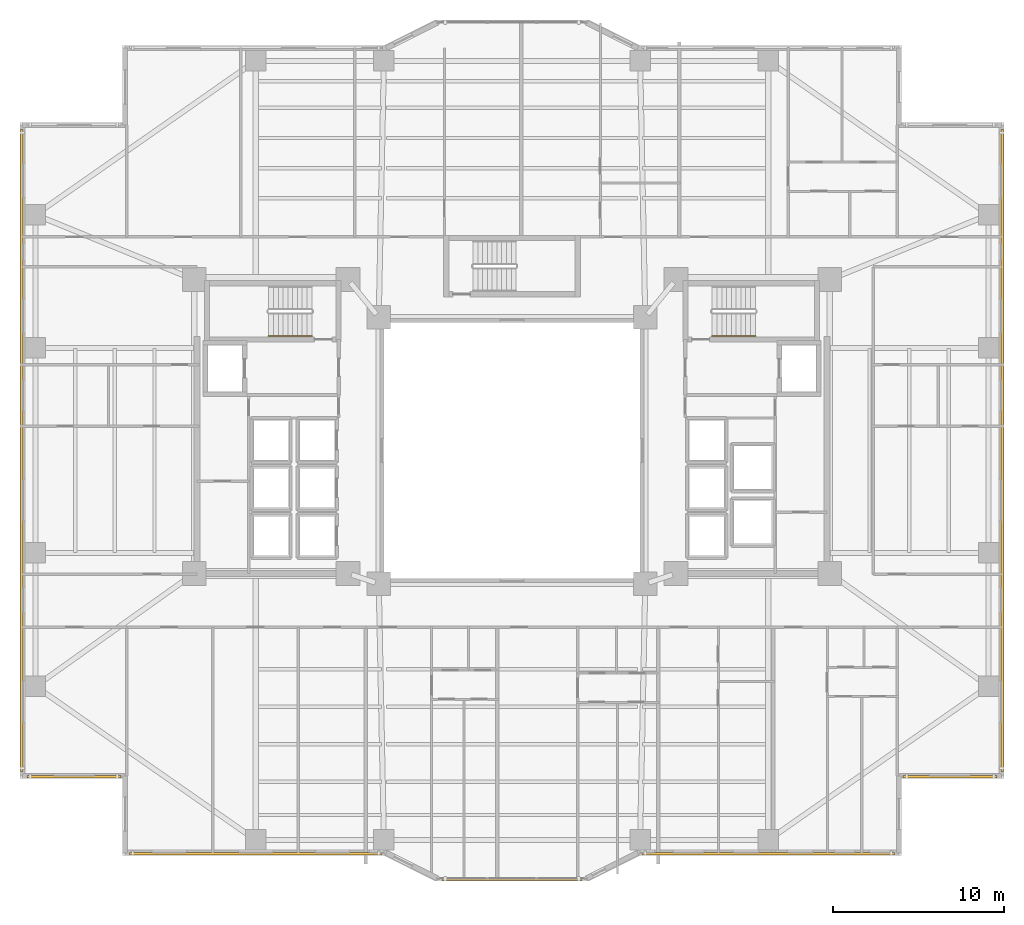
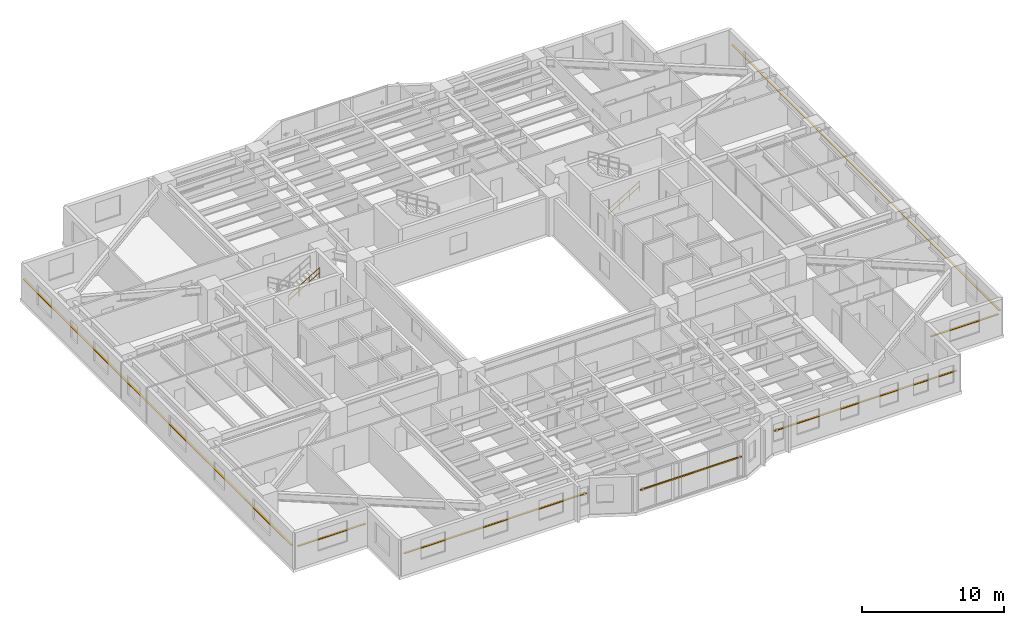
# One storey, part 19 of 21: 7 shading devices, 2 railings.
"""IFC4 building model written with IfcOpenShell, lengths in metres."""

from ifc_helpers import new_model, si_unit, direction, frame, origin, origin_2d, place, context, subcontext, project, spatial, rectangle, circle, extrude, material, material_profile, profile_set, type_object, element, save


model = new_model("IFC4")

# Units and contexts
model_context = context("Model", 3, precision=1e-05, world=origin(), true_north=direction((0.0, 1.0)))
body_context = subcontext(model_context, "Body", "Model", "MODEL_VIEW")
ifc_project = project(units=[si_unit("LENGTHUNIT", "METRE"), si_unit("AREAUNIT", "SQUARE_METRE"), si_unit("VOLUMEUNIT", "CUBIC_METRE"), si_unit("PLANEANGLEUNIT", "RADIAN"), si_unit("MASSUNIT", "GRAM", prefix="KILO")], contexts=[model_context])

# Site, building, storey
site_placement = place(None, origin())
site = spatial("IfcSite", under=ifc_project, at=site_placement, CompositionType="ELEMENT")
building_placement = place(site_placement, origin())
building = spatial("IfcBuilding", under=site, at=building_placement, Name="Tarnavaz Court Tower", CompositionType="ELEMENT")
storey_placement = place(building_placement, frame((0.0, 0.0, 47.449951171875)))
storey = spatial("IfcBuildingStorey", under=building, at=storey_placement, Name="L12", CompositionType="ELEMENT", Elevation=47.449951171875)

# Railings
ifc_material_1 = material(Name="Brushed Stainless Steel", Category="steel")
railing_type = type_object("IfcRailingType", Name="RL-HANDRAIL-900", PredefinedType="HANDRAIL", material=ifc_material_1)
for number, where, name in (
    (1, (-14.239990234375, 6.699951171875, 1.842529296875), "L12 ST-W1 stair handrail 2"),
    (2, (11.719970703125, 6.699951171875, 0.16748046875), "L12 ST-E1 stair handrail 1"),
):
    element("IfcRailing", number, at=place(storey_placement, frame(where)), inside=storey, type_object=railing_type, Name=name, PredefinedType="HANDRAIL", context=body_context, shape_type="SweptSolid", body=[
        extrude(circle(Radius=0.02392578125, at=origin_2d()), frame((0.0, 0.0, 0.8759765625), z_axis=(0.858159760407, 0.0, 0.513382728203), x_axis=(0.0, 1.0, 0.0)), (0.0, 0.0, 1.0), 2.9365234375),
        extrude(circle(Radius=0.02392578125, at=origin_2d()), frame((0.0, 0.0, 0.449951171875), z_axis=(0.858159760407, 0.0, 0.513382728203), x_axis=(0.0, 1.0, 0.0)), (0.0, 0.0, 1.0), 2.9365234375),
        extrude(circle(Radius=0.02099609375, at=origin_2d()), origin(), (0.0, 0.0, 1.0), 0.851806640625),
        extrude(circle(Radius=0.02099609375, at=origin_2d()), frame((0.840087890625, 0.0, 0.50244140625)), (0.0, 0.0, 1.0), 0.851806640625),
        extrude(circle(Radius=0.02099609375, at=origin_2d()), frame((1.679931640625, 0.0, 1.005126953125)), (0.0, 0.0, 1.0), 0.851806640625),
        extrude(circle(Radius=0.02099609375, at=origin_2d()), frame((2.52001953125, 0.0, 1.507568359375)), (0.0, 0.0, 1.0), 0.851806640625),
    ])

# Shading devices
ifc_material_2 = material(Name="Kiln-Fired Khorasan Terracotta Ceramic", Category="masonry")
ifc_material_profile_1 = material_profile(ifc_material_2, rectangle(XDim=0.1201171875, YDim=0.06005859375, at=origin_2d()), Name="TC BAGUETTE 120X60")
ifc_profile_set_1 = profile_set([ifc_material_profile_1], Name="Kiln-Fired Khorasan Terracotta Ceramic")
shading_device_type_1 = type_object("IfcShadingDeviceType", Name="SD-BAG-120", PredefinedType="USERDEFINED", material=ifc_profile_set_1)
shading_device_1_placement = place(storey_placement, frame((4.10009765625, -25.110107421875, 1.800048828125), z_axis=(-1.0, 0.0, 0.0), x_axis=(0.0, -1.0, 0.0)))
element("IfcShadingDevice", 3, at=shading_device_1_placement, inside=storey, type_object=shading_device_type_1, Name="L12 Terracotta Baguette Screen PBG17", ObjectType="BAGUETTE", PredefinedType="USERDEFINED", context=body_context, shape_type="SweptSolid", body=[
    extrude(rectangle(XDim=0.1201171875, YDim=0.06005859375, at=origin_2d()), origin(), (0.0, 0.0, 1.0), 8.2001953125),
])
ifc_material_profile_2 = material_profile(ifc_material_2, rectangle(XDim=0.14990234375, YDim=0.06494140625, at=origin_2d()), Name="TC BAGUETTE 150X65")
ifc_profile_set_2 = profile_set([ifc_material_profile_2], Name="Kiln-Fired Khorasan Terracotta Ceramic")
shading_device_type_2 = type_object("IfcShadingDeviceType", Name="SD-BAG-150", PredefinedType="USERDEFINED", material=ifc_profile_set_2)
shading_device_2_placement = place(storey_placement, frame((-22.89990234375, -19.110107421875, 1.85009765625), z_axis=(-1.0, 0.0, 0.0), x_axis=(0.0, -1.0, 0.0)))
element("IfcShadingDevice", 4, at=shading_device_2_placement, inside=storey, type_object=shading_device_type_2, Name="L12 Terracotta Baguette Screen FBG01", ObjectType="BAGUETTE", PredefinedType="USERDEFINED", context=body_context, shape_type="SweptSolid", body=[
    extrude(rectangle(XDim=0.14990234375, YDim=0.06494140625, at=origin_2d()), origin(), (0.0, 0.0, 1.0), 5.5),
])
for number, where, z_axis, x_axis, name in (
    (5, (-28.7099609375, -18.800048828125, 1.85009765625), (0.0, 1.0, 0.0), (-1.0, 0.0, 0.0), "L12 Terracotta Baguette Screen FBG02"),
    (6, (28.7099609375, 18.800048828125, 1.85009765625), (0.0, -1.0, 0.0), (1.0, 0.0, 0.0), "L12 Terracotta Baguette Screen FBG12"),
):
    element("IfcShadingDevice", number, at=place(storey_placement, frame(where, z_axis=z_axis, x_axis=x_axis)), inside=storey, type_object=shading_device_type_2, Name=name, ObjectType="BAGUETTE", PredefinedType="USERDEFINED", context=body_context, shape_type="SweptSolid", body=[
        extrude(rectangle(XDim=0.14990234375, YDim=0.06494140625, at=origin_2d()), origin(), (0.0, 0.0, 1.0), 37.60009765625),
    ])
shading_device_3_placement = place(storey_placement, frame((28.39990234375, -19.110107421875, 1.85009765625), z_axis=(-1.0, 0.0, 0.0), x_axis=(0.0, -1.0, 0.0)))
element("IfcShadingDevice", 7, at=shading_device_3_placement, inside=storey, type_object=shading_device_type_2, Name="L12 Terracotta Baguette Screen FBG13", ObjectType="BAGUETTE", PredefinedType="USERDEFINED", context=body_context, shape_type="SweptSolid", body=[
    extrude(rectangle(XDim=0.14990234375, YDim=0.06494140625, at=origin_2d()), origin(), (0.0, 0.0, 1.0), 5.5),
])
for number, where, z_axis, x_axis, name in (
    (8, (22.39990234375, -23.610107421875, 1.85009765625), (-1.0, 0.0, 0.0), (0.0, -1.0, 0.0), "L12 Terracotta Baguette Screen FBG15"),
    (9, (-7.60009765625, -23.610107421875, 1.85009765625), (-1.0, 0.0, 0.0), (0.0, -1.0, 0.0), "L12 Terracotta Baguette Screen FBG19"),
):
    element("IfcShadingDevice", number, at=place(storey_placement, frame(where, z_axis=z_axis, x_axis=x_axis)), inside=storey, type_object=shading_device_type_2, Name=name, ObjectType="BAGUETTE", PredefinedType="USERDEFINED", context=body_context, shape_type="SweptSolid", body=[
        extrude(rectangle(XDim=0.14990234375, YDim=0.06494140625, at=origin_2d()), origin(), (0.0, 0.0, 1.0), 14.7998046875),
    ])

save(model, "model.ifc")
